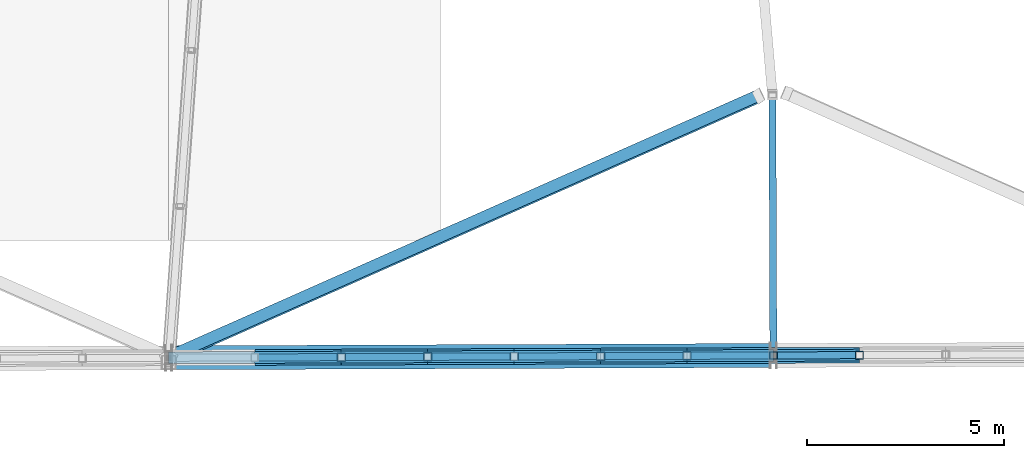
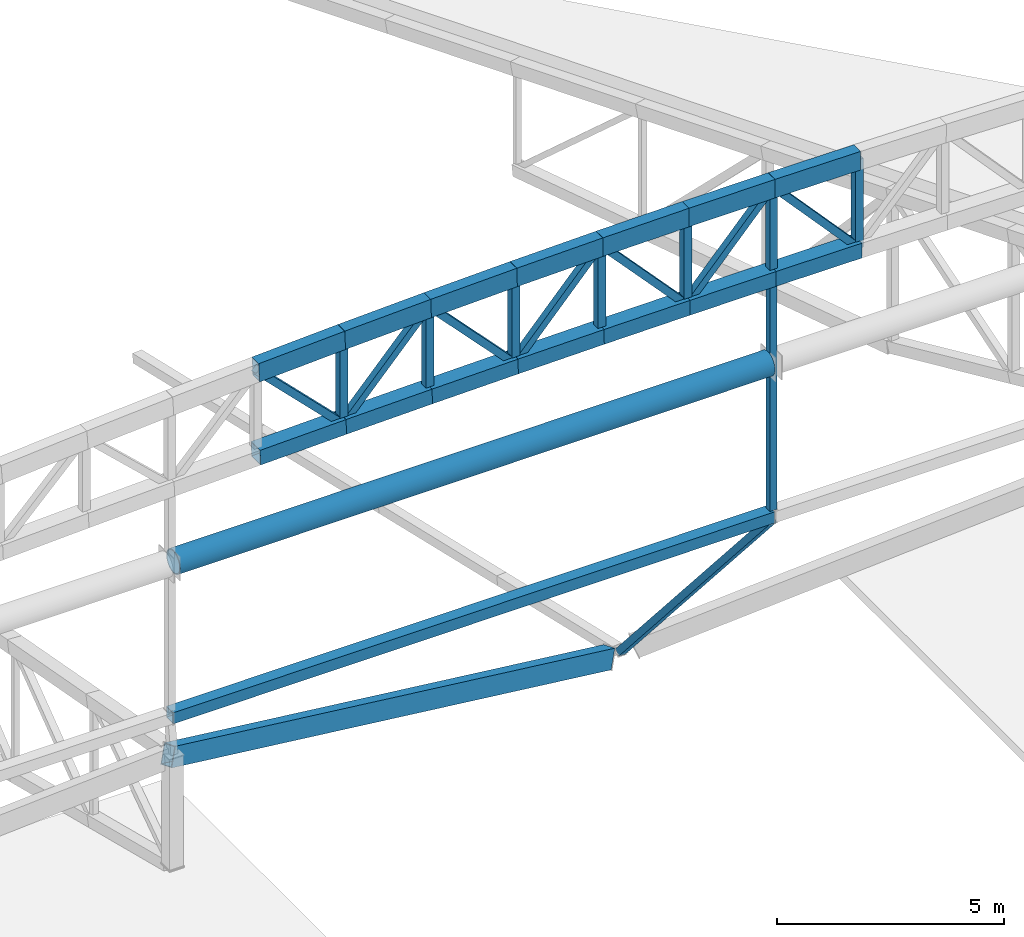
# One storey, part 25 of 188: 32 members, 1 beam.
"""IFC4 building model written with IfcOpenShell, lengths in metres."""

from ifc_helpers import new_model, si_unit, direction, frame, origin, origin_2d, place, context, subcontext, project, spatial, hollow_rectangle, hollow_circle, extrude, material, material_profile, profile_set, type_object, element, save


model = new_model("IFC4")

# Units and contexts
model_context = context("Model", 3, precision=1e-05, world=origin(), true_north=direction((0.0, 1.0)))
body_context = subcontext(model_context, "Body", "Model", "MODEL_VIEW")
ifc_project = project(units=[si_unit("LENGTHUNIT", "METRE"), si_unit("AREAUNIT", "SQUARE_METRE"), si_unit("VOLUMEUNIT", "CUBIC_METRE"), si_unit("PLANEANGLEUNIT", "RADIAN"), si_unit("MASSUNIT", "GRAM", prefix="KILO")], contexts=[model_context])

# Site, building, storey
site_placement = place(None, origin())
site = spatial("IfcSite", under=ifc_project, at=site_placement, CompositionType="ELEMENT")
building_placement = place(site_placement, origin())
building = spatial("IfcBuilding", under=site, at=building_placement, Name="Meseta Stadium", CompositionType="ELEMENT")
storey_placement = place(building_placement, frame((0.0, 0.0, 30.0)))
storey = spatial("IfcBuildingStorey", under=building, at=storey_placement, Name="ROOF", CompositionType="ELEMENT", Elevation=30.0)

# Members
ifc_material_1 = material(Name="Steel S355", Category="steel")
ifc_material_profile_1 = material_profile(ifc_material_1, hollow_circle(Radius=0.304931640625, WallThickness=0.02490234375, at=origin_2d()), Name="CHS 610x25")
ifc_profile_set_1 = profile_set([ifc_material_profile_1], Name="Steel S355")
member_type_1 = type_object("IfcMemberType", Name="CHS 610x25 arch tie", PredefinedType="STRUT", material=ifc_profile_set_1)
member_1_placement = place(storey_placement, frame((-7.5771484375, -105.28173828125, 15.550048828125), z_axis=(0.999992549764, 0.003860105702, 0.0), x_axis=(-0.003860105702, 0.999992549764, 0.0)))
element("IfcMember", 1, at=member_1_placement, inside=storey, type_object=member_type_1, Name="GABLE ARCH GA-S tie 03", PredefinedType="STRUT", context=body_context, shape_type="SweptSolid", body=[
    extrude(hollow_circle(Radius=0.304931640625, WallThickness=0.02490234375, at=origin_2d()), origin(), (0.0, 0.0, 1.0), 15.17919921875),
])
ifc_material_2 = material(Name="Steel S355", Category="steel")
ifc_material_profile_2 = material_profile(ifc_material_2, hollow_rectangle(XDim=0.300048828125, YDim=0.5, WallThickness=0.01611328125, at=origin_2d()), Name="RHS 500x300x16")
ifc_profile_set_2 = profile_set([ifc_material_profile_2], Name="Steel S355")
member_type_2 = type_object("IfcMemberType", Name="RHS 500x300x16 arch top chord", PredefinedType="CHORD", material=ifc_profile_set_2)
member_2_placement = place(storey_placement, frame((-5.472900390625, -105.273681640625, 19.97998046875), z_axis=(0.99889179473, 0.003890198377, 0.046904677576), x_axis=(-0.003894484764, 0.999992416465, 0.0)))
element("IfcMember", 2, at=member_2_placement, inside=storey, type_object=member_type_2, Name="GABLE ARCH GA-S top chord", PredefinedType="CHORD", context=body_context, shape_type="SweptSolid", body=[
    extrude(hollow_rectangle(XDim=0.300048828125, YDim=0.5, WallThickness=0.01611328125, at=origin_2d()), origin(), (0.0, 0.0, 1.0), 2.196533203125),
])
member_3_placement = place(storey_placement, frame((-3.27880859375, -105.26513671875, 20.0830078125), z_axis=(0.999277714425, 0.003891268358, 0.037800892624), x_axis=(-0.003894051473, 0.999992418153, 0.0)))
element("IfcMember", 3, at=member_3_placement, inside=storey, type_object=member_type_2, Name="GABLE ARCH GA-S top chord", PredefinedType="CHORD", context=body_context, shape_type="SweptSolid", body=[
    extrude(hollow_rectangle(XDim=0.300048828125, YDim=0.5, WallThickness=0.01611328125, at=origin_2d()), origin(), (0.0, 0.0, 1.0), 2.19580078125),
])
member_4_placement = place(storey_placement, frame((-1.08447265625, -105.256591796875, 20.166015625), z_axis=(0.999577831952, 0.003781645297, 0.028807239176), x_axis=(-0.003783215387, 0.999992843615, 0.0)))
element("IfcMember", 4, at=member_4_placement, inside=storey, type_object=member_type_2, Name="GABLE ARCH GA-S top chord", PredefinedType="CHORD", context=body_context, shape_type="SweptSolid", body=[
    extrude(hollow_rectangle(XDim=0.300048828125, YDim=0.5, WallThickness=0.01611328125, at=origin_2d()), origin(), (0.0, 0.0, 1.0), 2.195068359375),
])
for number, where, z_axis, x_axis, name in (
    (5, (1.109619140625, -105.248291015625, 20.229248046875), (0.999798528501, 0.003893729665, 0.019691147162), (-0.003894484764, 0.999992416465, 0.0), "GABLE ARCH GA-S top chord"),
    (6, (3.3037109375, -105.23974609375, 20.2724609375), (0.999936992352, 0.003782583193, 0.010568982451), (-0.003782794475, 0.999992845207, 0.0), "GABLE ARCH GA-S top chord"),
):
    element("IfcMember", number, at=place(storey_placement, frame(where, z_axis=z_axis, x_axis=x_axis)), inside=storey, type_object=member_type_2, Name=name, PredefinedType="CHORD", context=body_context, shape_type="SweptSolid", body=[
        extrude(hollow_rectangle(XDim=0.300048828125, YDim=0.5, WallThickness=0.01611328125, at=origin_2d()), origin(), (0.0, 0.0, 1.0), 2.194580078125),
    ])
member_5_placement = place(storey_placement, frame((5.498046875, -105.2314453125, 20.295654296875), z_axis=(0.999991370261, 0.00389448069, 0.001446521399), x_axis=(-0.003894484764, 0.999992416465, 0.0)))
element("IfcMember", 7, at=member_5_placement, inside=storey, type_object=member_type_2, Name="GABLE ARCH GA-S top chord", PredefinedType="CHORD", context=body_context, shape_type="SweptSolid", body=[
    extrude(hollow_rectangle(XDim=0.300048828125, YDim=0.5, WallThickness=0.01611328125, at=origin_2d()), origin(), (0.0, 0.0, 1.0), 2.194091796875),
])
member_6_placement = place(storey_placement, frame((7.692138671875, -105.222900390625, 20.298828125), z_axis=(0.999963125817, 0.003795773839, -0.007703188085), x_axis=(-0.003795886463, 0.999992795597, 0.0)))
element("IfcMember", 8, at=member_6_placement, inside=storey, type_object=member_type_2, Name="GABLE ARCH GA-S top chord", PredefinedType="CHORD", context=body_context, shape_type="SweptSolid", body=[
    extrude(hollow_rectangle(XDim=0.300048828125, YDim=0.5, WallThickness=0.01611328125, at=origin_2d()), origin(), (0.0, 0.0, 1.0), 2.186767578125),
])

# Beam
ifc_material_3 = material(Name="Steel S355", Category="steel")
ifc_material_profile_3 = material_profile(ifc_material_3, hollow_rectangle(XDim=0.300048828125, YDim=0.5, WallThickness=0.01611328125, at=origin_2d()), Name="RHS 500x300x16")
ifc_profile_set_3 = profile_set([ifc_material_profile_3], Name="Steel S355")
beam_type = type_object("IfcBeamType", Name="RHS 500x300x16 rim ring beam", PredefinedType="BEAM", material=ifc_profile_set_3)
beam_placement = place(storey_placement, frame((-7.72900390625, -105.309326171875, 10.404296875), z_axis=(0.847168236299, 0.375703326713, -0.375703326713), x_axis=(-0.430046764256, 0.900120893924, -0.069585608246)))
element("IfcBeam", 9, at=beam_placement, inside=storey, type_object=beam_type, Name="RIM RING BEAM 47", PredefinedType="BEAM", context=body_context, shape_type="SweptSolid", body=[
    extrude(hollow_rectangle(XDim=0.300048828125, YDim=0.5, WallThickness=0.01611328125, at=origin_2d()), origin(), (0.0, 0.0, 1.0), 17.75439453125),
])

# Members
ifc_material_4 = material(Name="Steel S355", Category="steel")
ifc_material_profile_4 = material_profile(ifc_material_4, hollow_rectangle(XDim=0.179931640625, YDim=0.179931640625, WallThickness=0.00634765625, at=origin_2d()), Name="SHS 180x180x6.3")
ifc_profile_set_4 = profile_set([ifc_material_profile_4], Name="Steel S355")
member_type_3 = type_object("IfcMemberType", Name="SHS 180x180x6.3 arch diagonal", PredefinedType="BRACE", material=ifc_profile_set_4)
member_7_placement = place(storey_placement, frame((-5.472900390625, -105.273681640625, 19.97998046875), z_axis=(0.706474938981, 0.002751376751, -0.70773271121), x_axis=(-0.003894484764, 0.999992416465, 0.0)))
element("IfcMember", 10, at=member_7_placement, inside=storey, type_object=member_type_3, Name="GABLE ARCH GA-S diagonal", PredefinedType="BRACE", context=body_context, shape_type="SweptSolid", body=[
    extrude(hollow_rectangle(XDim=0.179931640625, YDim=0.179931640625, WallThickness=0.00634765625, at=origin_2d()), origin(), (0.0, 0.0, 1.0), 3.105712890625),
])
member_8_placement = place(storey_placement, frame((-3.27880859375, -105.26513671875, 17.781982421875), z_axis=(0.677225551375, 0.00263717115, 0.735770750909), x_axis=(-0.003894051473, 0.999992418153, 0.0)))
element("IfcMember", 11, at=member_8_placement, inside=storey, type_object=member_type_3, Name="GABLE ARCH GA-S diagonal", PredefinedType="BRACE", context=body_context, shape_type="SweptSolid", body=[
    extrude(hollow_rectangle(XDim=0.179931640625, YDim=0.179931640625, WallThickness=0.00634765625, at=origin_2d()), origin(), (0.0, 0.0, 1.0), 3.240234375),
])
member_9_placement = place(storey_placement, frame((-1.08447265625, -105.256591796875, 20.166015625), z_axis=(0.689589594242, 0.002608884634, -0.724195681591), x_axis=(-0.003783215387, 0.999992843615, 0.0)))
element("IfcMember", 12, at=member_9_placement, inside=storey, type_object=member_type_3, Name="GABLE ARCH GA-S diagonal", PredefinedType="BRACE", context=body_context, shape_type="SweptSolid", body=[
    extrude(hollow_rectangle(XDim=0.179931640625, YDim=0.179931640625, WallThickness=0.00634765625, at=origin_2d()), origin(), (0.0, 0.0, 1.0), 3.181640625),
])
member_10_placement = place(storey_placement, frame((1.109619140625, -105.248291015625, 17.86181640625), z_axis=(0.673106535414, 0.002621423027, 0.739540884687), x_axis=(-0.003894484764, 0.999992416465, 0.0)))
element("IfcMember", 13, at=member_10_placement, inside=storey, type_object=member_type_3, Name="GABLE ARCH GA-S diagonal", PredefinedType="BRACE", context=body_context, shape_type="SweptSolid", body=[
    extrude(hollow_rectangle(XDim=0.179931640625, YDim=0.179931640625, WallThickness=0.00634765625, at=origin_2d()), origin(), (0.0, 0.0, 1.0), 3.259765625),
])
member_11_placement = place(storey_placement, frame((3.3037109375, -105.23974609375, 20.2724609375), z_axis=(0.678654105879, 0.00256722737, -0.734453547828), x_axis=(-0.003782794475, 0.999992845207, 0.0)))
element("IfcMember", 14, at=member_11_placement, inside=storey, type_object=member_type_3, Name="GABLE ARCH GA-S diagonal", PredefinedType="BRACE", context=body_context, shape_type="SweptSolid", body=[
    extrude(hollow_rectangle(XDim=0.179931640625, YDim=0.179931640625, WallThickness=0.00634765625, at=origin_2d()), origin(), (0.0, 0.0, 1.0), 3.2333984375),
])
member_12_placement = place(storey_placement, frame((5.498046875, -105.2314453125, 17.897705078125), z_axis=(0.674562424848, 0.002627093009, 0.73821313546), x_axis=(-0.003894484764, 0.999992416465, 0.0)))
element("IfcMember", 15, at=member_12_placement, inside=storey, type_object=member_type_3, Name="GABLE ARCH GA-S diagonal", PredefinedType="BRACE", context=body_context, shape_type="SweptSolid", body=[
    extrude(hollow_rectangle(XDim=0.179931640625, YDim=0.179931640625, WallThickness=0.00634765625, at=origin_2d()), origin(), (0.0, 0.0, 1.0), 3.252685546875),
])
member_13_placement = place(storey_placement, frame((7.692138671875, -105.222900390625, 20.298828125), z_axis=(0.672173664903, 0.002551513298, -0.74038912336), x_axis=(-0.003795886463, 0.999992795597, 0.0)))
element("IfcMember", 16, at=member_13_placement, inside=storey, type_object=member_type_3, Name="GABLE ARCH GA-S diagonal", PredefinedType="BRACE", context=body_context, shape_type="SweptSolid", body=[
    extrude(hollow_rectangle(XDim=0.179931640625, YDim=0.179931640625, WallThickness=0.00634765625, at=origin_2d()), origin(), (0.0, 0.0, 1.0), 3.253173828125),
])
ifc_material_5 = material(Name="Steel S355", Category="steel")
ifc_material_profile_5 = material_profile(ifc_material_5, hollow_rectangle(XDim=0.179931640625, YDim=0.179931640625, WallThickness=0.00634765625, at=origin_2d()), Name="SHS 180x180x6.3")
ifc_profile_set_5 = profile_set([ifc_material_profile_5], Name="Steel S355")
member_type_4 = type_object("IfcMemberType", Name="SHS 180x180x6.3 hanger", PredefinedType="STRUT", material=ifc_profile_set_5)
member_14_placement = place(storey_placement, frame((7.692138671875, -105.222900390625, 17.8994140625), z_axis=(0.0, 0.0, -1.0), x_axis=(1.0, 0.0, 0.0)))
element("IfcMember", 17, at=member_14_placement, inside=storey, type_object=member_type_4, Name="GABLE ARCH GA-S hanger RT-47", PredefinedType="STRUT", context=body_context, shape_type="SweptSolid", body=[
    extrude(hollow_rectangle(XDim=0.179931640625, YDim=0.179931640625, WallThickness=0.00634765625, at=origin_2d()), origin(), (0.0, 0.0, 1.0), 6.29931640625),
])
member_15_placement = place(storey_placement, frame((7.692138671875, -105.222900390625, 11.300048828125), z_axis=(-0.002526391917, 0.658975322399, -0.752160316564), x_axis=(-0.999992650998, -0.00383379053, 0.0)))
element("IfcMember", 18, at=member_15_placement, inside=storey, type_object=member_type_4, Name="GABLE ARCH GA-S hanger RT-47", PredefinedType="STRUT", context=body_context, shape_type="SweptSolid", body=[
    extrude(hollow_rectangle(XDim=0.179931640625, YDim=0.179931640625, WallThickness=0.00634765625, at=origin_2d()), origin(), (0.0, 0.0, 1.0), 10.050048828125),
])
ifc_material_6 = material(Name="Steel S355", Category="steel")
ifc_material_profile_6 = material_profile(ifc_material_6, hollow_rectangle(XDim=0.199951171875, YDim=0.199951171875, WallThickness=0.008056640625, at=origin_2d()), Name="SHS 200x200x8")
ifc_profile_set_6 = profile_set([ifc_material_profile_6], Name="Steel S355")
member_type_5 = type_object("IfcMemberType", Name="SHS 200x200x8 arch vertical", PredefinedType="POST", material=ifc_profile_set_6)
member_16_placement = place(storey_placement, frame((-3.27880859375, -105.26513671875, 17.781982421875), z_axis=(0.0, 0.0, 1.0), x_axis=(1.0, 0.0, 0.0)))
element("IfcMember", 19, at=member_16_placement, inside=storey, type_object=member_type_5, Name="GABLE ARCH GA-S vertical", PredefinedType="POST", context=body_context, shape_type="SweptSolid", body=[
    extrude(hollow_rectangle(XDim=0.199951171875, YDim=0.199951171875, WallThickness=0.008056640625, at=origin_2d()), origin(), (0.0, 0.0, 1.0), 2.301025390625),
])
member_17_placement = place(storey_placement, frame((-1.08447265625, -105.256591796875, 17.827392578125), z_axis=(0.0, 0.0, 1.0), x_axis=(1.0, 0.0, 0.0)))
element("IfcMember", 20, at=member_17_placement, inside=storey, type_object=member_type_5, Name="GABLE ARCH GA-S vertical", PredefinedType="POST", context=body_context, shape_type="SweptSolid", body=[
    extrude(hollow_rectangle(XDim=0.199951171875, YDim=0.199951171875, WallThickness=0.008056640625, at=origin_2d()), origin(), (0.0, 0.0, 1.0), 2.338623046875),
])
member_18_placement = place(storey_placement, frame((1.109619140625, -105.248291015625, 17.86181640625), z_axis=(0.0, 0.0, 1.0), x_axis=(1.0, 0.0, 0.0)))
element("IfcMember", 21, at=member_18_placement, inside=storey, type_object=member_type_5, Name="GABLE ARCH GA-S vertical", PredefinedType="POST", context=body_context, shape_type="SweptSolid", body=[
    extrude(hollow_rectangle(XDim=0.199951171875, YDim=0.199951171875, WallThickness=0.008056640625, at=origin_2d()), origin(), (0.0, 0.0, 1.0), 2.367431640625),
])
member_19_placement = place(storey_placement, frame((3.3037109375, -105.23974609375, 17.88525390625), z_axis=(0.0, 0.0, 1.0), x_axis=(1.0, 0.0, 0.0)))
element("IfcMember", 22, at=member_19_placement, inside=storey, type_object=member_type_5, Name="GABLE ARCH GA-S vertical", PredefinedType="POST", context=body_context, shape_type="SweptSolid", body=[
    extrude(hollow_rectangle(XDim=0.199951171875, YDim=0.199951171875, WallThickness=0.008056640625, at=origin_2d()), origin(), (0.0, 0.0, 1.0), 2.38720703125),
])
member_20_placement = place(storey_placement, frame((5.498046875, -105.2314453125, 17.897705078125), z_axis=(0.0, 0.0, 1.0), x_axis=(1.0, 0.0, 0.0)))
element("IfcMember", 23, at=member_20_placement, inside=storey, type_object=member_type_5, Name="GABLE ARCH GA-S vertical", PredefinedType="POST", context=body_context, shape_type="SweptSolid", body=[
    extrude(hollow_rectangle(XDim=0.199951171875, YDim=0.199951171875, WallThickness=0.008056640625, at=origin_2d()), origin(), (0.0, 0.0, 1.0), 2.39794921875),
])
member_21_placement = place(storey_placement, frame((7.692138671875, -105.222900390625, 17.8994140625), z_axis=(0.0, 0.0, 1.0), x_axis=(1.0, 0.0, 0.0)))
element("IfcMember", 24, at=member_21_placement, inside=storey, type_object=member_type_5, Name="GABLE ARCH GA-S vertical", PredefinedType="POST", context=body_context, shape_type="SweptSolid", body=[
    extrude(hollow_rectangle(XDim=0.199951171875, YDim=0.199951171875, WallThickness=0.008056640625, at=origin_2d()), origin(), (0.0, 0.0, 1.0), 2.3994140625),
])
member_22_placement = place(storey_placement, frame((9.87890625, -105.214599609375, 17.89013671875), z_axis=(0.0, 0.0, 1.0), x_axis=(1.0, 0.0, 0.0)))
element("IfcMember", 25, at=member_22_placement, inside=storey, type_object=member_type_5, Name="GABLE ARCH GA-S vertical", PredefinedType="POST", context=body_context, shape_type="SweptSolid", body=[
    extrude(hollow_rectangle(XDim=0.199951171875, YDim=0.199951171875, WallThickness=0.008056640625, at=origin_2d()), origin(), (0.0, 0.0, 1.0), 2.391845703125),
])
ifc_material_7 = material(Name="Steel S355", Category="steel")
ifc_material_profile_7 = material_profile(ifc_material_7, hollow_rectangle(XDim=0.300048828125, YDim=0.300048828125, WallThickness=0.010009765625, at=origin_2d()), Name="SHS 300x300x10")
ifc_profile_set_7 = profile_set([ifc_material_profile_7], Name="Steel S355")
member_type_6 = type_object("IfcMemberType", Name="SHS 300x300x10 arch sill", PredefinedType="STRUT", material=ifc_profile_set_7)
member_23_placement = place(storey_placement, frame((-7.667236328125, -105.281982421875, 11.449951171875), z_axis=(0.999992601751, 0.003846614471, 0.0), x_axis=(-0.003846614471, 0.999992601751, 0.0)))
element("IfcMember", 26, at=member_23_placement, inside=storey, type_object=member_type_6, Name="GABLE ARCH GA-S sill beam 03", PredefinedType="STRUT", context=body_context, shape_type="SweptSolid", body=[
    extrude(hollow_rectangle(XDim=0.300048828125, YDim=0.300048828125, WallThickness=0.010009765625, at=origin_2d()), origin(), (0.0, 0.0, 1.0), 15.359375),
])
ifc_material_8 = material(Name="Steel S355", Category="steel")
ifc_material_profile_8 = material_profile(ifc_material_8, hollow_rectangle(XDim=0.39990234375, YDim=0.39990234375, WallThickness=0.01416015625, at=origin_2d()), Name="SHS 400x400x14.2")
ifc_profile_set_8 = profile_set([ifc_material_profile_8], Name="Steel S355")
member_type_7 = type_object("IfcMemberType", Name="SHS 400x400x14.2 arch bottom chord", PredefinedType="CHORD", material=ifc_profile_set_8)
for number, where, z_axis, x_axis, name in (
    (27, (-5.472900390625, -105.273681640625, 17.725341796875), (0.999659381668, 0.003893187755, 0.025806273122), (-0.003894484764, 0.999992416465, 0.0), "GABLE ARCH GA-S bottom chord"),
    (28, (-3.27880859375, -105.26513671875, 17.781982421875), (0.999778365593, 0.003893217935, 0.020689672452), (-0.003894051473, 0.999992418153, 0.0), "GABLE ARCH GA-S bottom chord"),
):
    element("IfcMember", number, at=place(storey_placement, frame(where, z_axis=z_axis, x_axis=x_axis)), inside=storey, type_object=member_type_7, Name=name, PredefinedType="CHORD", context=body_context, shape_type="SweptSolid", body=[
        extrude(hollow_rectangle(XDim=0.39990234375, YDim=0.39990234375, WallThickness=0.01416015625, at=origin_2d()), origin(), (0.0, 0.0, 1.0), 2.19482421875),
    ])
for number, where, z_axis, x_axis, name in (
    (29, (-1.08447265625, -105.256591796875, 17.827392578125), (0.999869791451, 0.003782749851, 0.015687286146), (-0.003783215387, 0.999992843615, 0.0), "GABLE ARCH GA-S bottom chord"),
    (30, (1.109619140625, -105.248291015625, 17.86181640625), (0.999935369054, 0.003894262592, 0.010681405967), (-0.003894484764, 0.999992416465, 0.0), "GABLE ARCH GA-S bottom chord"),
    (31, (3.3037109375, -105.23974609375, 17.88525390625), (0.999976747485, 0.00378273358, 0.00567410037), (-0.003782794475, 0.999992845207, 0.0), "GABLE ARCH GA-S bottom chord"),
):
    element("IfcMember", number, at=place(storey_placement, frame(where, z_axis=z_axis, x_axis=x_axis)), inside=storey, type_object=member_type_7, Name=name, PredefinedType="CHORD", context=body_context, shape_type="SweptSolid", body=[
        extrude(hollow_rectangle(XDim=0.39990234375, YDim=0.39990234375, WallThickness=0.01416015625, at=origin_2d()), origin(), (0.0, 0.0, 1.0), 2.1943359375),
    ])
member_24_placement = place(storey_placement, frame((5.498046875, -105.2314453125, 17.897705078125), z_axis=(0.999992113128, 0.003894483583, 0.000778896717), x_axis=(-0.003894484764, 0.999992416465, 0.0)))
element("IfcMember", 32, at=member_24_placement, inside=storey, type_object=member_type_7, Name="GABLE ARCH GA-S bottom chord", PredefinedType="CHORD", context=body_context, shape_type="SweptSolid", body=[
    extrude(hollow_rectangle(XDim=0.39990234375, YDim=0.39990234375, WallThickness=0.01416015625, at=origin_2d()), origin(), (0.0, 0.0, 1.0), 2.194091796875),
])
member_25_placement = place(storey_placement, frame((7.692138671875, -105.222900390625, 17.8994140625), z_axis=(0.999983796544, 0.003795852304, -0.004242423163), x_axis=(-0.003795886463, 0.999992795597, 0.0)))
element("IfcMember", 33, at=member_25_placement, inside=storey, type_object=member_type_7, Name="GABLE ARCH GA-S bottom chord", PredefinedType="CHORD", context=body_context, shape_type="SweptSolid", body=[
    extrude(hollow_rectangle(XDim=0.39990234375, YDim=0.39990234375, WallThickness=0.01416015625, at=origin_2d()), origin(), (0.0, 0.0, 1.0), 2.186767578125),
])

save(model, "model.ifc")
